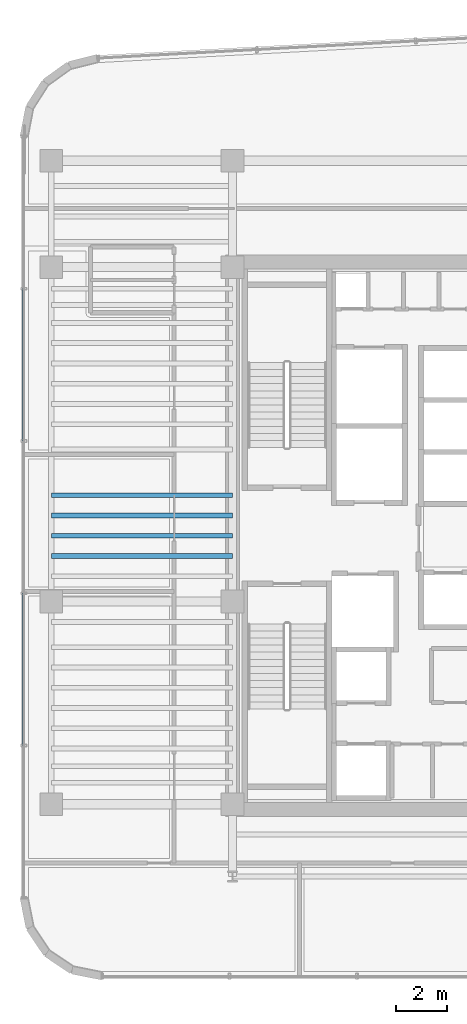
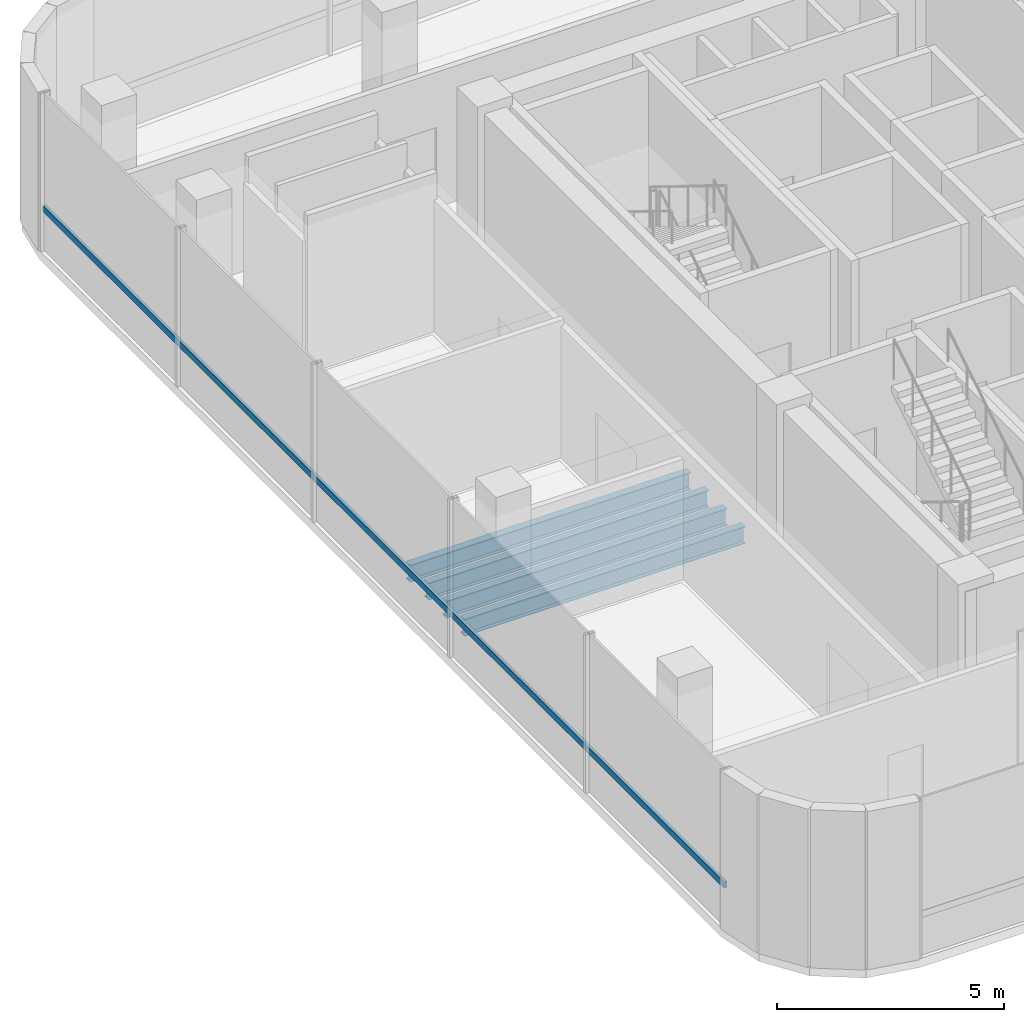
# One storey, part 5 of 17: 4 beams, 1 member, 1 element without a shape of its own.
"""IFC4 building model written with IfcOpenShell, lengths in metres."""

from ifc_helpers import new_model, si_unit, direction, frame, origin, origin_2d, place, context, subcontext, project, spatial, hollow_rectangle, i_section, extrude, source, transform, mapped, material, material_profile, profile_set, type_object, element, aggregate, save


model = new_model("IFC4")

# Units and contexts
model_context = context("Model", 3, precision=1e-05, world=origin(), true_north=direction((0.0, 1.0)))
body_context = subcontext(model_context, "Body", "Model", "MODEL_VIEW")
ifc_project = project(units=[si_unit("LENGTHUNIT", "METRE"), si_unit("AREAUNIT", "SQUARE_METRE"), si_unit("VOLUMEUNIT", "CUBIC_METRE"), si_unit("PLANEANGLEUNIT", "RADIAN"), si_unit("MASSUNIT", "GRAM", prefix="KILO")], contexts=[model_context])

# Site, building, storey
site_placement = place(None, origin())
site = spatial("IfcSite", under=ifc_project, at=site_placement, CompositionType="ELEMENT")
building_placement = place(site_placement, origin())
building = spatial("IfcBuilding", under=site, at=building_placement, Name="Valdorenza Pilgrim Sanctuary Tower", CompositionType="ELEMENT")
storey_placement = place(building_placement, frame((0.0, 0.0, 201.0)))
storey = spatial("IfcBuildingStorey", under=building, at=storey_placement, Name="L51", CompositionType="ELEMENT", Elevation=201.0)

# Beams
ifc_material_1 = material(Name="Steel ASTM A992 Grade 50", Category="steel")
ifc_material_profile_1 = material_profile(ifc_material_1, i_section(OverallWidth=0.19091796875, OverallDepth=0.45703125, WebThickness=0.009033203125, FlangeThickness=0.014404296875, at=origin_2d()), Name="W18X50")
ifc_profile_set_1 = profile_set([ifc_material_profile_1], Name="Steel ASTM A992 Grade 50")
beam_type = type_object("IfcBeamType", Name="STR-BM-JST-W18B", PredefinedType="JOIST", material=ifc_profile_set_1)
shared_shape_1 = source(origin(), body_context, "Body", "SweptSolid", [
    extrude(i_section(OverallWidth=0.19091796875, OverallDepth=0.45703125, WebThickness=0.009033203125, FlangeThickness=0.014404296875, at=origin_2d()), origin(), (0.0, 0.0, 1.0), 7.150146484375),
])
for number, where, z_axis, x_axis, name in (
    (1, (-29.800048828125, -0.800048828125, -0.468505859375), (1.0, 0.0, 0.0), (0.0, 1.0, 0.0), "L51 Composite Floor Joist JST-WA-11"),
    (2, (-29.800048828125, 0.0, -0.468505859375), (1.0, 0.0, 0.0), (0.0, 1.0, 0.0), "L51 Composite Floor Joist JST-WA-12"),
    (3, (-29.800048828125, 0.800048828125, -0.468505859375), (1.0, 0.0, 0.0), (0.0, 1.0, 0.0), "L51 Composite Floor Joist JST-WA-13"),
    (4, (-29.800048828125, 1.60009765625, -0.468505859375), (1.0, 0.0, 0.0), (0.0, 1.0, 0.0), "L51 Composite Floor Joist JST-WA-14"),
):
    element("IfcBeam", number, at=place(storey_placement, frame(where, z_axis=z_axis, x_axis=x_axis)), inside=storey, type_object=beam_type, Name=name, PredefinedType="JOIST", context=body_context, shape_type="MappedRepresentation", body=[
        mapped(shared_shape_1, transform((0.0, 0.0, 0.0), x_axis=(1.0, 0.0, 0.0), y_axis=(0.0, 1.0, 0.0), z_axis=(0.0, 0.0, 1.0), scale=1.0)),
    ])

# Curtain wall, member
ifc_material_2 = material(Name="Curtain-wall IGU glazing", Category="glass")
curtain_wall_type = type_object("IfcCurtainWallType", Name="CW-SYS-04", PredefinedType="NOTDEFINED", material=ifc_material_2)
curtain_wall_placement = place(storey_placement, origin())
curtain_wall = element("IfcCurtainWall", 5, at=curtain_wall_placement, inside=storey, type_object=curtain_wall_type, Name="L51 Curtain Wall CW-L51-1-1", PredefinedType="NOTDEFINED")
ifc_material_3 = material(Name="Anodised aluminium AW-6060", Category="aluminium")
ifc_material_profile_2 = material_profile(ifc_material_3, hollow_rectangle(XDim=0.080078125, YDim=0.169921875, WallThickness=0.00390625, at=origin_2d()), Name="ALU-T 170x80x4")
ifc_profile_set_2 = profile_set([ifc_material_profile_2], Name="Anodised aluminium AW-6060")
member_type = type_object("IfcMemberType", Name="CW-TRN-04", PredefinedType="USERDEFINED", material=ifc_profile_set_2)
shared_shape_2 = source(origin(), body_context, "Body", "SweptSolid", [
    extrude(hollow_rectangle(XDim=0.080078125, YDim=0.169921875, WallThickness=0.00390625, at=origin_2d()), origin(), (0.0, 0.0, 1.0), 30.046875),
])
member_placement = place(storey_placement, frame((-30.889892578125, -14.289306640625, 1.1201171875), z_axis=(0.0, 1.0, 0.0), x_axis=(-1.0, 0.0, 0.0)))
member = element("IfcMember", 6, at=member_placement, type_object=member_type, Name="CW-L51-1-1 Transom 1", ObjectType="TRANSOM", PredefinedType="USERDEFINED", context=body_context, shape_type="MappedRepresentation", body=[
    mapped(shared_shape_2, transform((0.0, 0.0, 0.0), x_axis=(1.0, 0.0, 0.0), y_axis=(0.0, 1.0, 0.0), z_axis=(0.0, 0.0, 1.0), scale=1.0)),
])
aggregate(curtain_wall, [member])

save(model, "model.ifc")
